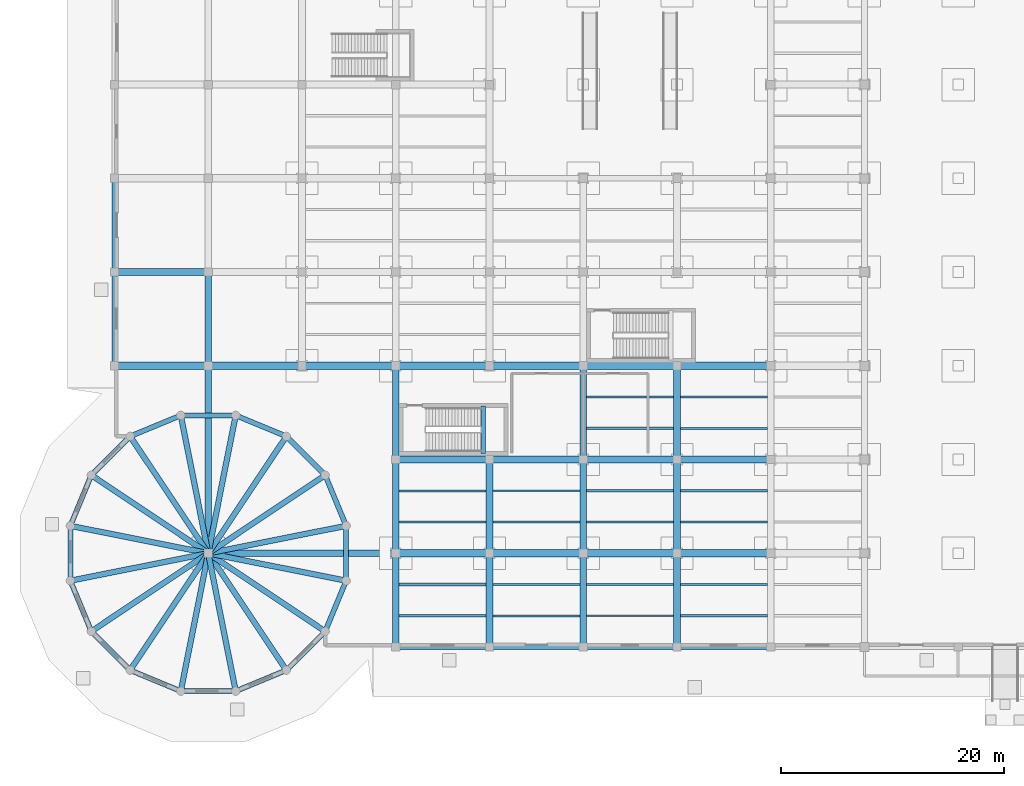
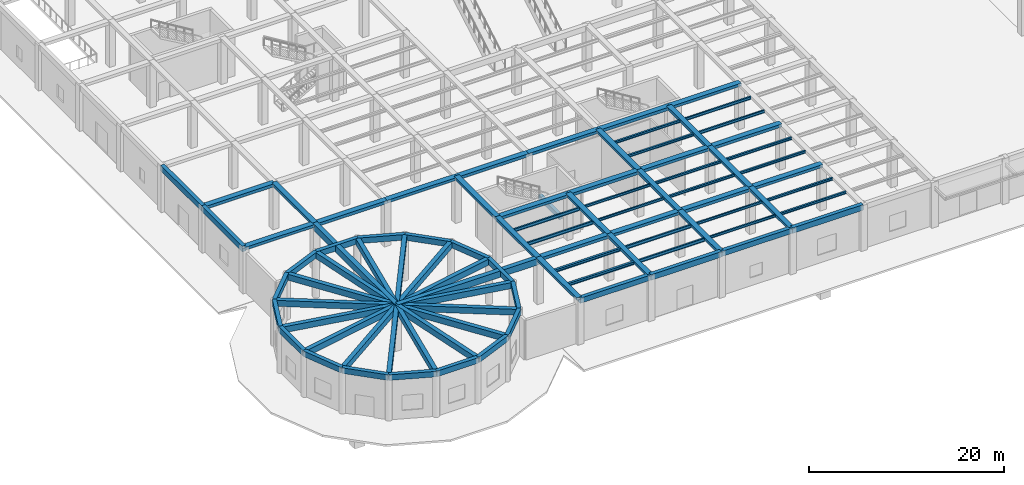
# One storey, part 4 of 43: 89 beams.
"""IFC4 building model written with IfcOpenShell, lengths in metres."""

from ifc_helpers import new_model, si_unit, direction, frame, origin, origin_2d, place, context, subcontext, project, spatial, rectangle, i_section, extrude, material, material_profile, profile_set, type_object, element, save


model = new_model("IFC4")

# Units and contexts
model_context = context("Model", 3, precision=1e-05, world=origin(), true_north=direction((0.0, 1.0)))
body_context = subcontext(model_context, "Body", "Model", "MODEL_VIEW")
ifc_project = project(units=[si_unit("LENGTHUNIT", "METRE"), si_unit("AREAUNIT", "SQUARE_METRE"), si_unit("VOLUMEUNIT", "CUBIC_METRE"), si_unit("PLANEANGLEUNIT", "RADIAN"), si_unit("MASSUNIT", "GRAM", prefix="KILO")], contexts=[model_context])

# Site, building, storey
site_placement = place(None, origin())
site = spatial("IfcSite", under=ifc_project, at=site_placement, CompositionType="ELEMENT")
building_placement = place(site_placement, origin())
building = spatial("IfcBuilding", under=site, at=building_placement, Name="Almacenes y Pasaje Nevantli", CompositionType="ELEMENT")
storey_placement = place(building_placement, origin())
storey = spatial("IfcBuildingStorey", under=building, at=storey_placement, Name="L01", CompositionType="ELEMENT", Elevation=0.0)

# Beams
ifc_material_1 = material(Name="Concrete C35/45", Category="concrete")
ifc_material_profile_1 = material_profile(ifc_material_1, rectangle(XDim=0.39990234375, YDim=0.60009765625, at=origin_2d()), Name="RC-BM-400x600")
ifc_profile_set_1 = profile_set([ifc_material_profile_1], Name="Concrete C35/45")
beam_type_1 = type_object("IfcBeamType", Name="BM-RC-400x600", PredefinedType="SPANDREL", material=ifc_profile_set_1)
beam_1_placement = place(storey_placement, frame((33.030029296875, 17.35009765625, 2.5), z_axis=(0.0, 1.0, 0.0), x_axis=(-1.0, 0.0, 0.0)))
element("IfcBeam", 1, at=beam_1_placement, inside=storey, type_object=beam_type_1, Name="L01 Stair ST-04 Half-Landing Support Beam", PredefinedType="SPANDREL", context=body_context, shape_type="SweptSolid", body=[
    extrude(rectangle(XDim=0.39990234375, YDim=0.60009765625, at=origin_2d()), origin(), (0.0, 0.0, 1.0), 4.25),
])
ifc_material_2 = material(Name="Concrete C35/45", Category="concrete")
ifc_material_profile_2 = material_profile(ifc_material_2, rectangle(XDim=0.449951171875, YDim=0.64990234375, at=origin_2d()), Name="RC-BM-450x650")
ifc_profile_set_2 = profile_set([ifc_material_profile_2], Name="Concrete C35/45")
beam_type_2 = type_object("IfcBeamType", Name="BM-RC-450x650", PredefinedType="SPANDREL", material=ifc_profile_set_2)
beam_2_placement = place(storey_placement, frame((25.199951171875, 0.0, 5.375), z_axis=(1.0, 0.0, 0.0), x_axis=(0.0, 1.0, 0.0)))
element("IfcBeam", 2, at=beam_2_placement, inside=storey, type_object=beam_type_2, Name="L01 East-West Reinforced Concrete Beam #1209", PredefinedType="SPANDREL", context=body_context, shape_type="SweptSolid", body=[
    extrude(rectangle(XDim=0.449951171875, YDim=0.64990234375, at=origin_2d()), origin(), (0.0, 0.0, 1.0), 8.400146484375),
])
beam_3_placement = place(storey_placement, frame((42.0, 0.0, 5.375), z_axis=(1.0, 0.0, 0.0), x_axis=(0.0, 1.0, 0.0)))
element("IfcBeam", 3, at=beam_3_placement, inside=storey, type_object=beam_type_2, Name="L01 East-West Reinforced Concrete Beam #1211", PredefinedType="SPANDREL", context=body_context, shape_type="SweptSolid", body=[
    extrude(rectangle(XDim=0.449951171875, YDim=0.64990234375, at=origin_2d()), origin(), (0.0, 0.0, 1.0), 8.39990234375),
])
ifc_material_3 = material(Name="Concrete C35/45", Category="concrete")
ifc_material_profile_3 = material_profile(ifc_material_3, rectangle(XDim=0.449951171875, YDim=0.699951171875, at=origin_2d()), Name="RC-BM-450x700")
ifc_profile_set_3 = profile_set([ifc_material_profile_3], Name="Concrete C35/45")
beam_type_3 = type_object("IfcBeamType", Name="BM-RC-450x700", PredefinedType="SPANDREL", material=ifc_profile_set_3)
beam_4_placement = place(storey_placement, frame((33.60009765625, 0.0, 5.35009765625), z_axis=(1.0, 0.0, 0.0), x_axis=(0.0, 1.0, 0.0)))
element("IfcBeam", 4, at=beam_4_placement, inside=storey, type_object=beam_type_3, Name="L01 East-West Reinforced Concrete Beam #1210", PredefinedType="SPANDREL", context=body_context, shape_type="SweptSolid", body=[
    extrude(rectangle(XDim=0.449951171875, YDim=0.699951171875, at=origin_2d()), origin(), (0.0, 0.0, 1.0), 8.39990234375),
])
for number, where, z_axis, x_axis, name in (
    (5, (50.39990234375, 0.0, 5.35009765625), (1.0, 0.0, 0.0), (0.0, 1.0, 0.0), "L01 East-West Reinforced Concrete Beam #1212"),
    (6, (0.0, 25.199951171875, 5.35009765625), (0.0, 1.0, 0.0), (-1.0, 0.0, 0.0), "L01 North-South Reinforced Concrete Beam #1452"),
):
    element("IfcBeam", number, at=place(storey_placement, frame(where, z_axis=z_axis, x_axis=x_axis)), inside=storey, type_object=beam_type_3, Name=name, PredefinedType="SPANDREL", context=body_context, shape_type="SweptSolid", body=[
        extrude(rectangle(XDim=0.449951171875, YDim=0.699951171875, at=origin_2d()), origin(), (0.0, 0.0, 1.0), 8.400146484375),
    ])
beam_5_placement = place(storey_placement, frame((0.0, 33.60009765625, 5.35009765625), z_axis=(0.0, 1.0, 0.0), x_axis=(-1.0, 0.0, 0.0)))
element("IfcBeam", 7, at=beam_5_placement, inside=storey, type_object=beam_type_3, Name="L01 North-South Reinforced Concrete Beam #1453", PredefinedType="SPANDREL", context=body_context, shape_type="SweptSolid", body=[
    extrude(rectangle(XDim=0.449951171875, YDim=0.699951171875, at=origin_2d()), origin(), (0.0, 0.0, 1.0), 8.39990234375),
])
for number, where, z_axis, x_axis, name in (
    (8, (20.7578125, 10.858154296875, 5.35009765625), (-0.382682198272, 0.923880043688, 0.0), (-0.923880043688, -0.382682198272, 0.0), "L01 Rotunda Ring Spandrel Beam #1"),
    (9, (18.87646484375, 15.400146484375, 5.35009765625), (-0.707106781187, 0.707106781187, 0.0), (-0.707106781187, -0.707106781187, 0.0), "L01 Rotunda Ring Spandrel Beam #2"),
    (10, (15.400146484375, 18.87646484375, 5.35009765625), (-0.923880043688, 0.382682198272, 0.0), (-0.382682198272, -0.923880043688, 0.0), "L01 Rotunda Ring Spandrel Beam #3"),
    (11, (10.858154296875, 20.7578125, 5.35009765625), (-1.0, 0.0, 0.0), (0.0, -1.0, 0.0), "L01 Rotunda Ring Spandrel Beam #4"),
    (12, (5.94189453125, 20.7578125, 5.35009765625), (-0.923880043688, -0.382682198272, 0.0), (0.382682198272, -0.923880043688, 0.0), "L01 Rotunda Ring Spandrel Beam #5"),
    (13, (1.39990234375, 18.87646484375, 5.35009765625), (-0.707106781187, -0.707106781187, 0.0), (0.707106781187, -0.707106781187, 0.0), "L01 Rotunda Ring Spandrel Beam #6"),
    (14, (-2.076416015625, 15.400146484375, 5.35009765625), (-0.38272458482, -0.923862485532, 0.0), (0.923862485532, -0.38272458482, 0.0), "L01 Rotunda Ring Spandrel Beam #7"),
    (15, (-3.9580078125, 10.858154296875, 5.35009765625), (0.0, -1.0, 0.0), (1.0, 0.0, 0.0), "L01 Rotunda Ring Spandrel Beam #8"),
    (16, (-3.9580078125, 5.94189453125, 5.35009765625), (0.38272458482, -0.923862485532, 0.0), (0.923862485532, 0.38272458482, 0.0), "L01 Rotunda Ring Spandrel Beam #9"),
    (17, (-2.076416015625, 1.39990234375, 5.35009765625), (0.707106781187, -0.707106781187, 0.0), (0.707106781187, 0.707106781187, 0.0), "L01 Rotunda Ring Spandrel Beam #10"),
    (18, (1.39990234375, -2.076416015625, 5.35009765625), (0.923862485532, -0.38272458482, 0.0), (0.38272458482, 0.923862485532, 0.0), "L01 Rotunda Ring Spandrel Beam #11"),
    (19, (5.94189453125, -3.9580078125, 5.35009765625), (1.0, 0.0, 0.0), (0.0, 1.0, 0.0), "L01 Rotunda Ring Spandrel Beam #12"),
    (20, (10.858154296875, -3.9580078125, 5.35009765625), (0.923862485532, 0.38272458482, 0.0), (-0.38272458482, 0.923862485532, 0.0), "L01 Rotunda Ring Spandrel Beam #13"),
    (21, (15.400146484375, -2.076416015625, 5.35009765625), (0.707106781187, 0.707106781187, 0.0), (-0.707106781187, 0.707106781187, 0.0), "L01 Rotunda Ring Spandrel Beam #14"),
    (22, (18.87646484375, 1.39990234375, 5.35009765625), (0.382682198272, 0.923880043688, 0.0), (-0.923880043688, 0.382682198272, 0.0), "L01 Rotunda Ring Spandrel Beam #15"),
    (23, (20.7578125, 5.94189453125, 5.35009765625), (0.0, 1.0, 0.0), (-1.0, 0.0, 0.0), "L01 Rotunda Ring Spandrel Beam #16"),
):
    element("IfcBeam", number, at=place(storey_placement, frame(where, z_axis=z_axis, x_axis=x_axis)), inside=storey, type_object=beam_type_3, Name=name, PredefinedType="SPANDREL", context=body_context, shape_type="SweptSolid", body=[
        extrude(rectangle(XDim=0.449951171875, YDim=0.699951171875, at=origin_2d()), origin(), (0.0, 0.0, 1.0), 4.916259765625),
    ])
ifc_material_4 = material(Name="Concrete C35/45", Category="concrete")
ifc_material_profile_4 = material_profile(ifc_material_4, rectangle(XDim=0.5, YDim=0.75, at=origin_2d()), Name="RC-BM-500x750")
ifc_profile_set_4 = profile_set([ifc_material_profile_4], Name="Concrete C35/45")
beam_type_4 = type_object("IfcBeamType", Name="BM-RC-500x750", PredefinedType="BEAM", material=ifc_profile_set_4)
for number, where, z_axis, x_axis, name in (
    (24, (8.39990234375, 8.39990234375, 5.324951171875), (0.980783597961, 0.195098780036, 0.0), (-0.195098780036, 0.980783597961, 0.0), "L01 Rotunda Radial Girder #1"),
    (25, (8.39990234375, 8.39990234375, 5.324951171875), (0.831468553537, 0.55557181757, 0.0), (-0.55557181757, 0.831468553537, 0.0), "L01 Rotunda Radial Girder #2"),
    (26, (8.39990234375, 8.39990234375, 5.324951171875), (0.55557181757, 0.831468553537, 0.0), (-0.831468553537, 0.55557181757, 0.0), "L01 Rotunda Radial Girder #3"),
    (27, (8.39990234375, 8.39990234375, 5.324951171875), (0.195098780036, 0.980783597961, 0.0), (-0.980783597961, 0.195098780036, 0.0), "L01 Rotunda Radial Girder #4"),
    (28, (8.39990234375, 8.39990234375, 5.324951171875), (-0.195080141274, 0.980787305424, 0.0), (-0.980787305424, -0.195080141274, 0.0), "L01 Rotunda Radial Girder #5"),
):
    element("IfcBeam", number, at=place(storey_placement, frame(where, z_axis=z_axis, x_axis=x_axis)), inside=storey, type_object=beam_type_4, Name=name, PredefinedType="BEAM", context=body_context, shape_type="SweptSolid", body=[
        extrude(rectangle(XDim=0.5, YDim=0.75, at=origin_2d()), origin(), (0.0, 0.0, 1.0), 12.60009765625),
    ])
for number, where, z_axis, x_axis, name in (
    (29, (8.39990234375, 8.39990234375, 5.324951171875), (-0.55555842186, 0.831477504146, 0.0), (-0.831477504146, -0.55555842186, 0.0), "L01 Rotunda Radial Girder #6"),
    (30, (8.39990234375, 8.39990234375, 5.324951171875), (-0.831462572755, 0.555580768302, 0.0), (-0.555580768302, -0.831462572755, 0.0), "L01 Rotunda Radial Girder #7"),
):
    element("IfcBeam", number, at=place(storey_placement, frame(where, z_axis=z_axis, x_axis=x_axis)), inside=storey, type_object=beam_type_4, Name=name, PredefinedType="BEAM", context=body_context, shape_type="SweptSolid", body=[
        extrude(rectangle(XDim=0.5, YDim=0.75, at=origin_2d()), origin(), (0.0, 0.0, 1.0), 12.599853515625),
    ])
for number, where, z_axis, x_axis, name in (
    (31, (8.39990234375, 8.39990234375, 5.324951171875), (-0.980783597961, 0.195098780036, 0.0), (-0.195098780036, -0.980783597961, 0.0), "L01 Rotunda Radial Girder #8"),
    (32, (8.39990234375, 8.39990234375, 5.324951171875), (-0.980787305424, -0.195080141274, 0.0), (0.195080141274, -0.980787305424, 0.0), "L01 Rotunda Radial Girder #9"),
):
    element("IfcBeam", number, at=place(storey_placement, frame(where, z_axis=z_axis, x_axis=x_axis)), inside=storey, type_object=beam_type_4, Name=name, PredefinedType="BEAM", context=body_context, shape_type="SweptSolid", body=[
        extrude(rectangle(XDim=0.5, YDim=0.75, at=origin_2d()), origin(), (0.0, 0.0, 1.0), 12.60009765625),
    ])
for number, where, z_axis, x_axis, name in (
    (33, (8.39990234375, 8.39990234375, 5.324951171875), (-0.831471523588, -0.555567372569, 0.0), (0.555567372569, -0.831471523588, 0.0), "L01 Rotunda Radial Girder #10"),
    (34, (8.39990234375, 8.39990234375, 5.324951171875), (-0.555567372569, -0.831471523588, 0.0), (0.831471523588, -0.555567372569, 0.0), "L01 Rotunda Radial Girder #11"),
):
    element("IfcBeam", number, at=place(storey_placement, frame(where, z_axis=z_axis, x_axis=x_axis)), inside=storey, type_object=beam_type_4, Name=name, PredefinedType="BEAM", context=body_context, shape_type="SweptSolid", body=[
        extrude(rectangle(XDim=0.5, YDim=0.75, at=origin_2d()), origin(), (0.0, 0.0, 1.0), 12.599853515625),
    ])
for number, where, z_axis, x_axis, name in (
    (35, (8.39990234375, 8.39990234375, 5.324951171875), (-0.195080141274, -0.980787305424, 0.0), (0.980787305424, -0.195080141274, 0.0), "L01 Rotunda Radial Girder #12"),
    (36, (8.39990234375, 8.39990234375, 5.324951171875), (0.195098780036, -0.980783597961, 0.0), (0.980783597961, 0.195098780036, 0.0), "L01 Rotunda Radial Girder #13"),
):
    element("IfcBeam", number, at=place(storey_placement, frame(where, z_axis=z_axis, x_axis=x_axis)), inside=storey, type_object=beam_type_4, Name=name, PredefinedType="BEAM", context=body_context, shape_type="SweptSolid", body=[
        extrude(rectangle(XDim=0.5, YDim=0.75, at=origin_2d()), origin(), (0.0, 0.0, 1.0), 12.60009765625),
    ])
for number, where, z_axis, x_axis, name in (
    (37, (8.39990234375, 8.39990234375, 5.324951171875), (0.555580768302, -0.831462572755, 0.0), (0.831462572755, 0.555580768302, 0.0), "L01 Rotunda Radial Girder #14"),
    (38, (8.39990234375, 8.39990234375, 5.324951171875), (0.831477504146, -0.55555842186, 0.0), (0.55555842186, 0.831477504146, 0.0), "L01 Rotunda Radial Girder #15"),
):
    element("IfcBeam", number, at=place(storey_placement, frame(where, z_axis=z_axis, x_axis=x_axis)), inside=storey, type_object=beam_type_4, Name=name, PredefinedType="BEAM", context=body_context, shape_type="SweptSolid", body=[
        extrude(rectangle(XDim=0.5, YDim=0.75, at=origin_2d()), origin(), (0.0, 0.0, 1.0), 12.599853515625),
    ])
beam_6_placement = place(storey_placement, frame((8.39990234375, 8.39990234375, 5.324951171875), z_axis=(0.980787305424, -0.195080141274, 0.0), x_axis=(0.195080141274, 0.980787305424, 0.0)))
element("IfcBeam", 39, at=beam_6_placement, inside=storey, type_object=beam_type_4, Name="L01 Rotunda Radial Girder #16", PredefinedType="BEAM", context=body_context, shape_type="SweptSolid", body=[
    extrude(rectangle(XDim=0.5, YDim=0.75, at=origin_2d()), origin(), (0.0, 0.0, 1.0), 12.60009765625),
])
ifc_material_5 = material(Name="Concrete C35/45", Category="concrete")
ifc_material_profile_5 = material_profile(ifc_material_5, rectangle(XDim=0.550048828125, YDim=0.800048828125, at=origin_2d()), Name="RC-BM-550x800")
ifc_profile_set_5 = profile_set([ifc_material_profile_5], Name="Concrete C35/45")
beam_type_5 = type_object("IfcBeamType", Name="BM-RC-550x800", PredefinedType="BEAM", material=ifc_profile_set_5)
for number, where, z_axis, x_axis, name in (
    (40, (8.39990234375, 8.39990234375, 5.300048828125), (1.0, 0.0, 0.0), (0.0, 1.0, 0.0), "L01 Rotunda-to-Grid Collector Girder #1721"),
    (41, (8.39990234375, 8.39990234375, 5.300048828125), (0.0, 1.0, 0.0), (-1.0, 0.0, 0.0), "L01 Rotunda-to-Grid Collector Girder #1722"),
):
    element("IfcBeam", number, at=place(storey_placement, frame(where, z_axis=z_axis, x_axis=x_axis)), inside=storey, type_object=beam_type_5, Name=name, PredefinedType="BEAM", context=body_context, shape_type="SweptSolid", body=[
        extrude(rectangle(XDim=0.550048828125, YDim=0.800048828125, at=origin_2d()), origin(), (0.0, 0.0, 1.0), 16.800048828125),
    ])
ifc_material_6 = material(Name="Concrete C35/45", Category="concrete")
ifc_material_profile_6 = material_profile(ifc_material_6, rectangle(XDim=0.60009765625, YDim=0.320068359375, at=origin_2d()), Name="RC-BM-600x320")
ifc_profile_set_6 = profile_set([ifc_material_profile_6], Name="Concrete C35/45")
beam_type_6 = type_object("IfcBeamType", Name="BM-RC-600x320", PredefinedType="BEAM", material=ifc_profile_set_6)
for number, where, z_axis, x_axis, name in (
    (42, (25.199951171875, 0.0, 5.5400390625), (0.0, 1.0, 0.0), (-1.0, 0.0, 0.0), "L01 North-South Reinforced Concrete Beam #1483"),
    (43, (25.199951171875, 16.800048828125, 5.5400390625), (0.0, 1.0, 0.0), (-1.0, 0.0, 0.0), "L01 North-South Reinforced Concrete Beam #1485"),
):
    element("IfcBeam", number, at=place(storey_placement, frame(where, z_axis=z_axis, x_axis=x_axis)), inside=storey, type_object=beam_type_6, Name=name, PredefinedType="BEAM", context=body_context, shape_type="SweptSolid", body=[
        extrude(rectangle(XDim=0.60009765625, YDim=0.320068359375, at=origin_2d()), origin(), (0.0, 0.0, 1.0), 8.39990234375),
    ])
beam_7_placement = place(storey_placement, frame((33.60009765625, 8.39990234375, 5.5400390625), z_axis=(0.0, 1.0, 0.0), x_axis=(-1.0, 0.0, 0.0)))
element("IfcBeam", 44, at=beam_7_placement, inside=storey, type_object=beam_type_6, Name="L01 North-South Reinforced Concrete Beam #1498", PredefinedType="BEAM", context=body_context, shape_type="SweptSolid", body=[
    extrude(rectangle(XDim=0.60009765625, YDim=0.320068359375, at=origin_2d()), origin(), (0.0, 0.0, 1.0), 8.400146484375),
])
for number, where, z_axis, x_axis, name in (
    (45, (42.0, 0.0, 5.5400390625), (0.0, 1.0, 0.0), (-1.0, 0.0, 0.0), "L01 North-South Reinforced Concrete Beam #1510"),
    (46, (42.0, 16.800048828125, 5.5400390625), (0.0, 1.0, 0.0), (-1.0, 0.0, 0.0), "L01 North-South Reinforced Concrete Beam #1512"),
):
    element("IfcBeam", number, at=place(storey_placement, frame(where, z_axis=z_axis, x_axis=x_axis)), inside=storey, type_object=beam_type_6, Name=name, PredefinedType="BEAM", context=body_context, shape_type="SweptSolid", body=[
        extrude(rectangle(XDim=0.60009765625, YDim=0.320068359375, at=origin_2d()), origin(), (0.0, 0.0, 1.0), 8.39990234375),
    ])
beam_8_placement = place(storey_placement, frame((50.39990234375, 8.39990234375, 5.5400390625), z_axis=(0.0, 1.0, 0.0), x_axis=(-1.0, 0.0, 0.0)))
element("IfcBeam", 47, at=beam_8_placement, inside=storey, type_object=beam_type_6, Name="L01 North-South Reinforced Concrete Beam #1520", PredefinedType="BEAM", context=body_context, shape_type="SweptSolid", body=[
    extrude(rectangle(XDim=0.60009765625, YDim=0.320068359375, at=origin_2d()), origin(), (0.0, 0.0, 1.0), 8.400146484375),
])
ifc_material_7 = material(Name="Concrete C35/45", Category="concrete")
ifc_material_profile_7 = material_profile(ifc_material_7, rectangle(XDim=0.60009765625, YDim=0.340087890625, at=origin_2d()), Name="RC-BM-600x340")
ifc_profile_set_7 = profile_set([ifc_material_profile_7], Name="Concrete C35/45")
beam_type_7 = type_object("IfcBeamType", Name="BM-RC-600x340", PredefinedType="BEAM", material=ifc_profile_set_7)
for number, where, z_axis, x_axis, name in (
    (48, (8.39990234375, 25.199951171875, 5.530029296875), (0.0, 1.0, 0.0), (-1.0, 0.0, 0.0), "L01 North-South Reinforced Concrete Beam #1463"),
    (49, (25.199951171875, 8.39990234375, 5.530029296875), (0.0, 1.0, 0.0), (-1.0, 0.0, 0.0), "L01 North-South Reinforced Concrete Beam #1484"),
):
    element("IfcBeam", number, at=place(storey_placement, frame(where, z_axis=z_axis, x_axis=x_axis)), inside=storey, type_object=beam_type_7, Name=name, PredefinedType="BEAM", context=body_context, shape_type="SweptSolid", body=[
        extrude(rectangle(XDim=0.60009765625, YDim=0.340087890625, at=origin_2d()), origin(), (0.0, 0.0, 1.0), 8.400146484375),
    ])
beam_9_placement = place(storey_placement, frame((33.60009765625, 0.0, 5.530029296875), z_axis=(0.0, 1.0, 0.0), x_axis=(-1.0, 0.0, 0.0)))
element("IfcBeam", 50, at=beam_9_placement, inside=storey, type_object=beam_type_7, Name="L01 North-South Reinforced Concrete Beam #1497", PredefinedType="BEAM", context=body_context, shape_type="SweptSolid", body=[
    extrude(rectangle(XDim=0.60009765625, YDim=0.340087890625, at=origin_2d()), origin(), (0.0, 0.0, 1.0), 8.39990234375),
])
beam_10_placement = place(storey_placement, frame((42.0, 8.39990234375, 5.530029296875), z_axis=(0.0, 1.0, 0.0), x_axis=(-1.0, 0.0, 0.0)))
element("IfcBeam", 51, at=beam_10_placement, inside=storey, type_object=beam_type_7, Name="L01 North-South Reinforced Concrete Beam #1511", PredefinedType="BEAM", context=body_context, shape_type="SweptSolid", body=[
    extrude(rectangle(XDim=0.60009765625, YDim=0.340087890625, at=origin_2d()), origin(), (0.0, 0.0, 1.0), 8.400146484375),
])
for number, where, z_axis, x_axis, name in (
    (52, (50.39990234375, 0.0, 5.530029296875), (0.0, 1.0, 0.0), (-1.0, 0.0, 0.0), "L01 North-South Reinforced Concrete Beam #1519"),
    (53, (50.39990234375, 16.800048828125, 5.530029296875), (0.0, 1.0, 0.0), (-1.0, 0.0, 0.0), "L01 North-South Reinforced Concrete Beam #1521"),
):
    element("IfcBeam", number, at=place(storey_placement, frame(where, z_axis=z_axis, x_axis=x_axis)), inside=storey, type_object=beam_type_7, Name=name, PredefinedType="BEAM", context=body_context, shape_type="SweptSolid", body=[
        extrude(rectangle(XDim=0.60009765625, YDim=0.340087890625, at=origin_2d()), origin(), (0.0, 0.0, 1.0), 8.39990234375),
    ])
ifc_material_8 = material(Name="Concrete C35/45", Category="concrete")
ifc_material_profile_8 = material_profile(ifc_material_8, rectangle(XDim=0.64990234375, YDim=0.35009765625, at=origin_2d()), Name="RC-BM-650x350")
ifc_profile_set_8 = profile_set([ifc_material_profile_8], Name="Concrete C35/45")
beam_type_8 = type_object("IfcBeamType", Name="BM-RC-650x350", PredefinedType="BEAM", material=ifc_profile_set_8)
beam_11_placement = place(storey_placement, frame((33.60009765625, 8.39990234375, 5.52490234375), z_axis=(1.0, 0.0, 0.0), x_axis=(0.0, 1.0, 0.0)))
element("IfcBeam", 54, at=beam_11_placement, inside=storey, type_object=beam_type_8, Name="L01 East-West Reinforced Concrete Beam #1227", PredefinedType="BEAM", context=body_context, shape_type="SweptSolid", body=[
    extrude(rectangle(XDim=0.64990234375, YDim=0.35009765625, at=origin_2d()), origin(), (0.0, 0.0, 1.0), 8.39990234375),
])
for number, where, z_axis, x_axis, name in (
    (55, (50.39990234375, 8.39990234375, 5.52490234375), (1.0, 0.0, 0.0), (0.0, 1.0, 0.0), "L01 East-West Reinforced Concrete Beam #1229"),
    (56, (25.199951171875, 16.800048828125, 5.52490234375), (1.0, 0.0, 0.0), (0.0, 1.0, 0.0), "L01 East-West Reinforced Concrete Beam #1240"),
):
    element("IfcBeam", number, at=place(storey_placement, frame(where, z_axis=z_axis, x_axis=x_axis)), inside=storey, type_object=beam_type_8, Name=name, PredefinedType="BEAM", context=body_context, shape_type="SweptSolid", body=[
        extrude(rectangle(XDim=0.64990234375, YDim=0.35009765625, at=origin_2d()), origin(), (0.0, 0.0, 1.0), 8.400146484375),
    ])
for number, where, z_axis, x_axis, name in (
    (57, (42.0, 16.800048828125, 5.52490234375), (1.0, 0.0, 0.0), (0.0, 1.0, 0.0), "L01 East-West Reinforced Concrete Beam #1242"),
    (58, (0.0, 25.199951171875, 5.52490234375), (1.0, 0.0, 0.0), (0.0, 1.0, 0.0), "L01 East-West Reinforced Concrete Beam #1254"),
    (59, (16.800048828125, 25.199951171875, 5.52490234375), (1.0, 0.0, 0.0), (0.0, 1.0, 0.0), "L01 East-West Reinforced Concrete Beam #1256"),
    (60, (33.60009765625, 25.199951171875, 5.52490234375), (1.0, 0.0, 0.0), (0.0, 1.0, 0.0), "L01 East-West Reinforced Concrete Beam #1258"),
):
    element("IfcBeam", number, at=place(storey_placement, frame(where, z_axis=z_axis, x_axis=x_axis)), inside=storey, type_object=beam_type_8, Name=name, PredefinedType="BEAM", context=body_context, shape_type="SweptSolid", body=[
        extrude(rectangle(XDim=0.64990234375, YDim=0.35009765625, at=origin_2d()), origin(), (0.0, 0.0, 1.0), 8.39990234375),
    ])
beam_12_placement = place(storey_placement, frame((50.39990234375, 25.199951171875, 5.52490234375), z_axis=(1.0, 0.0, 0.0), x_axis=(0.0, 1.0, 0.0)))
element("IfcBeam", 61, at=beam_12_placement, inside=storey, type_object=beam_type_8, Name="L01 East-West Reinforced Concrete Beam #1260", PredefinedType="BEAM", context=body_context, shape_type="SweptSolid", body=[
    extrude(rectangle(XDim=0.64990234375, YDim=0.35009765625, at=origin_2d()), origin(), (0.0, 0.0, 1.0), 8.400146484375),
])
ifc_material_9 = material(Name="Concrete C35/45", Category="concrete")
ifc_material_profile_9 = material_profile(ifc_material_9, rectangle(XDim=0.64990234375, YDim=0.3798828125, at=origin_2d()), Name="RC-BM-650x380")
ifc_profile_set_9 = profile_set([ifc_material_profile_9], Name="Concrete C35/45")
beam_type_9 = type_object("IfcBeamType", Name="BM-RC-650x380", PredefinedType="BEAM", material=ifc_profile_set_9)
beam_13_placement = place(storey_placement, frame((25.199951171875, 8.39990234375, 5.510009765625), z_axis=(1.0, 0.0, 0.0), x_axis=(0.0, 1.0, 0.0)))
element("IfcBeam", 62, at=beam_13_placement, inside=storey, type_object=beam_type_9, Name="L01 East-West Reinforced Concrete Beam #1226", PredefinedType="BEAM", context=body_context, shape_type="SweptSolid", body=[
    extrude(rectangle(XDim=0.64990234375, YDim=0.3798828125, at=origin_2d()), origin(), (0.0, 0.0, 1.0), 8.400146484375),
])
for number, where, z_axis, x_axis, name in (
    (63, (42.0, 8.39990234375, 5.510009765625), (1.0, 0.0, 0.0), (0.0, 1.0, 0.0), "L01 East-West Reinforced Concrete Beam #1228"),
    (64, (33.60009765625, 16.800048828125, 5.510009765625), (1.0, 0.0, 0.0), (0.0, 1.0, 0.0), "L01 East-West Reinforced Concrete Beam #1241"),
):
    element("IfcBeam", number, at=place(storey_placement, frame(where, z_axis=z_axis, x_axis=x_axis)), inside=storey, type_object=beam_type_9, Name=name, PredefinedType="BEAM", context=body_context, shape_type="SweptSolid", body=[
        extrude(rectangle(XDim=0.64990234375, YDim=0.3798828125, at=origin_2d()), origin(), (0.0, 0.0, 1.0), 8.39990234375),
    ])
for number, where, z_axis, x_axis, name in (
    (65, (50.39990234375, 16.800048828125, 5.510009765625), (1.0, 0.0, 0.0), (0.0, 1.0, 0.0), "L01 East-West Reinforced Concrete Beam #1243"),
    (66, (8.39990234375, 25.199951171875, 5.510009765625), (1.0, 0.0, 0.0), (0.0, 1.0, 0.0), "L01 East-West Reinforced Concrete Beam #1255"),
    (67, (25.199951171875, 25.199951171875, 5.510009765625), (1.0, 0.0, 0.0), (0.0, 1.0, 0.0), "L01 East-West Reinforced Concrete Beam #1257"),
):
    element("IfcBeam", number, at=place(storey_placement, frame(where, z_axis=z_axis, x_axis=x_axis)), inside=storey, type_object=beam_type_9, Name=name, PredefinedType="BEAM", context=body_context, shape_type="SweptSolid", body=[
        extrude(rectangle(XDim=0.64990234375, YDim=0.3798828125, at=origin_2d()), origin(), (0.0, 0.0, 1.0), 8.400146484375),
    ])
for number, where, z_axis, x_axis, name in (
    (68, (42.0, 25.199951171875, 5.510009765625), (1.0, 0.0, 0.0), (0.0, 1.0, 0.0), "L01 East-West Reinforced Concrete Beam #1259"),
    (69, (0.0, 33.60009765625, 5.510009765625), (1.0, 0.0, 0.0), (0.0, 1.0, 0.0), "L01 East-West Reinforced Concrete Beam #1271"),
):
    element("IfcBeam", number, at=place(storey_placement, frame(where, z_axis=z_axis, x_axis=x_axis)), inside=storey, type_object=beam_type_9, Name=name, PredefinedType="BEAM", context=body_context, shape_type="SweptSolid", body=[
        extrude(rectangle(XDim=0.64990234375, YDim=0.3798828125, at=origin_2d()), origin(), (0.0, 0.0, 1.0), 8.39990234375),
    ])
ifc_material_10 = material(Name="Steel ASTM A992", Category="steel")
ifc_material_profile_10 = material_profile(ifc_material_10, i_section(OverallWidth=0.1650390625, OverallDepth=0.306884765625, WebThickness=0.006591796875, FlangeThickness=0.01025390625, at=origin_2d()), Name="IR 305x44.6")
ifc_profile_set_10 = profile_set([ifc_material_profile_10], Name="Steel ASTM A992")
beam_type_10 = type_object("IfcBeamType", Name="BM-STL-IR-305x44p6", PredefinedType="JOIST", material=ifc_profile_set_10)
for number, where, z_axis, x_axis, name in (
    (70, (33.89990234375, 11.199951171875, 5.53857421875), (1.0, 0.0, 0.0), (0.0, 1.0, 0.0), "L01 Secondary Steel Floor Joist #47"),
    (71, (33.89990234375, 14.0, 5.53857421875), (1.0, 0.0, 0.0), (0.0, 1.0, 0.0), "L01 Secondary Steel Floor Joist #48"),
    (72, (42.300048828125, 2.800048828125, 5.53857421875), (1.0, 0.0, 0.0), (0.0, 1.0, 0.0), "L01 Secondary Steel Floor Joist #61"),
    (73, (42.300048828125, 5.60009765625, 5.53857421875), (1.0, 0.0, 0.0), (0.0, 1.0, 0.0), "L01 Secondary Steel Floor Joist #62"),
):
    element("IfcBeam", number, at=place(storey_placement, frame(where, z_axis=z_axis, x_axis=x_axis)), inside=storey, type_object=beam_type_10, Name=name, PredefinedType="JOIST", context=body_context, shape_type="SweptSolid", body=[
        extrude(i_section(OverallWidth=0.1650390625, OverallDepth=0.306884765625, WebThickness=0.006591796875, FlangeThickness=0.01025390625, at=origin_2d()), origin(), (0.0, 0.0, 1.0), 7.800048828125),
    ])
ifc_material_11 = material(Name="Steel ASTM A992", Category="steel")
ifc_material_profile_11 = material_profile(ifc_material_11, i_section(OverallWidth=0.202880859375, OverallDepth=0.304931640625, WebThickness=0.007568359375, FlangeThickness=0.01318359375, at=origin_2d()), Name="IR 305x59.5")
ifc_profile_set_11 = profile_set([ifc_material_profile_11], Name="Steel ASTM A992")
beam_type_11 = type_object("IfcBeamType", Name="BM-STL-IR-305x59p5", PredefinedType="JOIST", material=ifc_profile_set_11)
for number, where, z_axis, x_axis, name in (
    (74, (42.300048828125, 11.199951171875, 5.53955078125), (1.0, 0.0, 0.0), (0.0, 1.0, 0.0), "L01 Secondary Steel Floor Joist #63"),
    (75, (42.300048828125, 14.0, 5.53955078125), (1.0, 0.0, 0.0), (0.0, 1.0, 0.0), "L01 Secondary Steel Floor Joist #64"),
    (76, (50.699951171875, 2.800048828125, 5.53955078125), (1.0, 0.0, 0.0), (0.0, 1.0, 0.0), "L01 Secondary Steel Floor Joist #77"),
    (77, (50.699951171875, 5.60009765625, 5.53955078125), (1.0, 0.0, 0.0), (0.0, 1.0, 0.0), "L01 Secondary Steel Floor Joist #78"),
):
    element("IfcBeam", number, at=place(storey_placement, frame(where, z_axis=z_axis, x_axis=x_axis)), inside=storey, type_object=beam_type_11, Name=name, PredefinedType="JOIST", context=body_context, shape_type="SweptSolid", body=[
        extrude(i_section(OverallWidth=0.202880859375, OverallDepth=0.304931640625, WebThickness=0.007568359375, FlangeThickness=0.01318359375, at=origin_2d()), origin(), (0.0, 0.0, 1.0), 7.800048828125),
    ])
ifc_material_12 = material(Name="Steel ASTM A992", Category="steel")
ifc_material_profile_12 = material_profile(ifc_material_12, i_section(OverallWidth=0.205078125, OverallDepth=0.31005859375, WebThickness=0.009521484375, FlangeThickness=0.016357421875, at=origin_2d()), Name="IR 305x74.4")
ifc_profile_set_12 = profile_set([ifc_material_profile_12], Name="Steel ASTM A992")
beam_type_12 = type_object("IfcBeamType", Name="BM-STL-IR-305x74p4", PredefinedType="JOIST", material=ifc_profile_set_12)
for number, where, z_axis, x_axis, name in (
    (78, (42.300048828125, 19.60009765625, 5.537109375), (1.0, 0.0, 0.0), (0.0, 1.0, 0.0), "L01 Secondary Steel Floor Joist #65"),
    (79, (42.300048828125, 22.39990234375, 5.537109375), (1.0, 0.0, 0.0), (0.0, 1.0, 0.0), "L01 Secondary Steel Floor Joist #66"),
    (80, (50.699951171875, 11.199951171875, 5.537109375), (1.0, 0.0, 0.0), (0.0, 1.0, 0.0), "L01 Secondary Steel Floor Joist #79"),
    (81, (50.699951171875, 14.0, 5.537109375), (1.0, 0.0, 0.0), (0.0, 1.0, 0.0), "L01 Secondary Steel Floor Joist #80"),
):
    element("IfcBeam", number, at=place(storey_placement, frame(where, z_axis=z_axis, x_axis=x_axis)), inside=storey, type_object=beam_type_12, Name=name, PredefinedType="JOIST", context=body_context, shape_type="SweptSolid", body=[
        extrude(i_section(OverallWidth=0.205078125, OverallDepth=0.31005859375, WebThickness=0.009521484375, FlangeThickness=0.016357421875, at=origin_2d()), origin(), (0.0, 0.0, 1.0), 7.800048828125),
    ])
ifc_material_13 = material(Name="Steel ASTM A992", Category="steel")
ifc_material_profile_13 = material_profile(ifc_material_13, i_section(OverallWidth=0.173095703125, OverallDepth=0.35302734375, WebThickness=0.0078125, FlangeThickness=0.01318359375, at=origin_2d()), Name="IR 356x56.6")
ifc_profile_set_13 = profile_set([ifc_material_profile_13], Name="Steel ASTM A992")
beam_type_13 = type_object("IfcBeamType", Name="BM-STL-IR-356x56p6", PredefinedType="JOIST", material=ifc_profile_set_13)
for number, where, z_axis, x_axis, name in (
    (82, (50.699951171875, 19.60009765625, 5.515380859375), (1.0, 0.0, 0.0), (0.0, 1.0, 0.0), "L01 Secondary Steel Floor Joist #81"),
    (83, (50.699951171875, 22.39990234375, 5.515380859375), (1.0, 0.0, 0.0), (0.0, 1.0, 0.0), "L01 Secondary Steel Floor Joist #82"),
):
    element("IfcBeam", number, at=place(storey_placement, frame(where, z_axis=z_axis, x_axis=x_axis)), inside=storey, type_object=beam_type_13, Name=name, PredefinedType="JOIST", context=body_context, shape_type="SweptSolid", body=[
        extrude(i_section(OverallWidth=0.173095703125, OverallDepth=0.35302734375, WebThickness=0.0078125, FlangeThickness=0.01318359375, at=origin_2d()), origin(), (0.0, 0.0, 1.0), 7.800048828125),
    ])
ifc_material_14 = material(Name="Steel ASTM A992", Category="steel")
ifc_material_profile_14 = material_profile(ifc_material_14, i_section(OverallWidth=0.25390625, OverallDepth=0.35595703125, WebThickness=0.009521484375, FlangeThickness=0.016357421875, at=origin_2d()), Name="IR 356x79.0")
ifc_profile_set_14 = profile_set([ifc_material_profile_14], Name="Steel ASTM A992")
beam_type_14 = type_object("IfcBeamType", Name="BM-STL-IR-356x79p0", PredefinedType="JOIST", material=ifc_profile_set_14)
for number, where, z_axis, x_axis, name in (
    (84, (25.5, 2.800048828125, 5.513916015625), (1.0, 0.0, 0.0), (0.0, 1.0, 0.0), "L01 Secondary Steel Floor Joist #21"),
    (85, (25.5, 5.60009765625, 5.513916015625), (1.0, 0.0, 0.0), (0.0, 1.0, 0.0), "L01 Secondary Steel Floor Joist #22"),
):
    element("IfcBeam", number, at=place(storey_placement, frame(where, z_axis=z_axis, x_axis=x_axis)), inside=storey, type_object=beam_type_14, Name=name, PredefinedType="JOIST", context=body_context, shape_type="SweptSolid", body=[
        extrude(i_section(OverallWidth=0.25390625, OverallDepth=0.35595703125, WebThickness=0.009521484375, FlangeThickness=0.016357421875, at=origin_2d()), origin(), (0.0, 0.0, 1.0), 7.800048828125),
    ])
ifc_material_15 = material(Name="Steel ASTM A992", Category="steel")
ifc_material_profile_15 = material_profile(ifc_material_15, i_section(OverallWidth=0.178955078125, OverallDepth=0.406005859375, WebThickness=0.0087890625, FlangeThickness=0.014404296875, at=origin_2d()), Name="IR 406x67.0")
ifc_profile_set_15 = profile_set([ifc_material_profile_15], Name="Steel ASTM A992")
beam_type_15 = type_object("IfcBeamType", Name="BM-STL-IR-406x67p0", PredefinedType="JOIST", material=ifc_profile_set_15)
for number, where, z_axis, x_axis, name in (
    (86, (25.5, 11.199951171875, 5.489013671875), (1.0, 0.0, 0.0), (0.0, 1.0, 0.0), "L01 Secondary Steel Floor Joist #23"),
    (87, (25.5, 14.0, 5.489013671875), (1.0, 0.0, 0.0), (0.0, 1.0, 0.0), "L01 Secondary Steel Floor Joist #24"),
    (88, (33.89990234375, 2.800048828125, 5.489013671875), (1.0, 0.0, 0.0), (0.0, 1.0, 0.0), "L01 Secondary Steel Floor Joist #45"),
    (89, (33.89990234375, 5.60009765625, 5.489013671875), (1.0, 0.0, 0.0), (0.0, 1.0, 0.0), "L01 Secondary Steel Floor Joist #46"),
):
    element("IfcBeam", number, at=place(storey_placement, frame(where, z_axis=z_axis, x_axis=x_axis)), inside=storey, type_object=beam_type_15, Name=name, PredefinedType="JOIST", context=body_context, shape_type="SweptSolid", body=[
        extrude(i_section(OverallWidth=0.178955078125, OverallDepth=0.406005859375, WebThickness=0.0087890625, FlangeThickness=0.014404296875, at=origin_2d()), origin(), (0.0, 0.0, 1.0), 7.800048828125),
    ])

save(model, "model.ifc")
